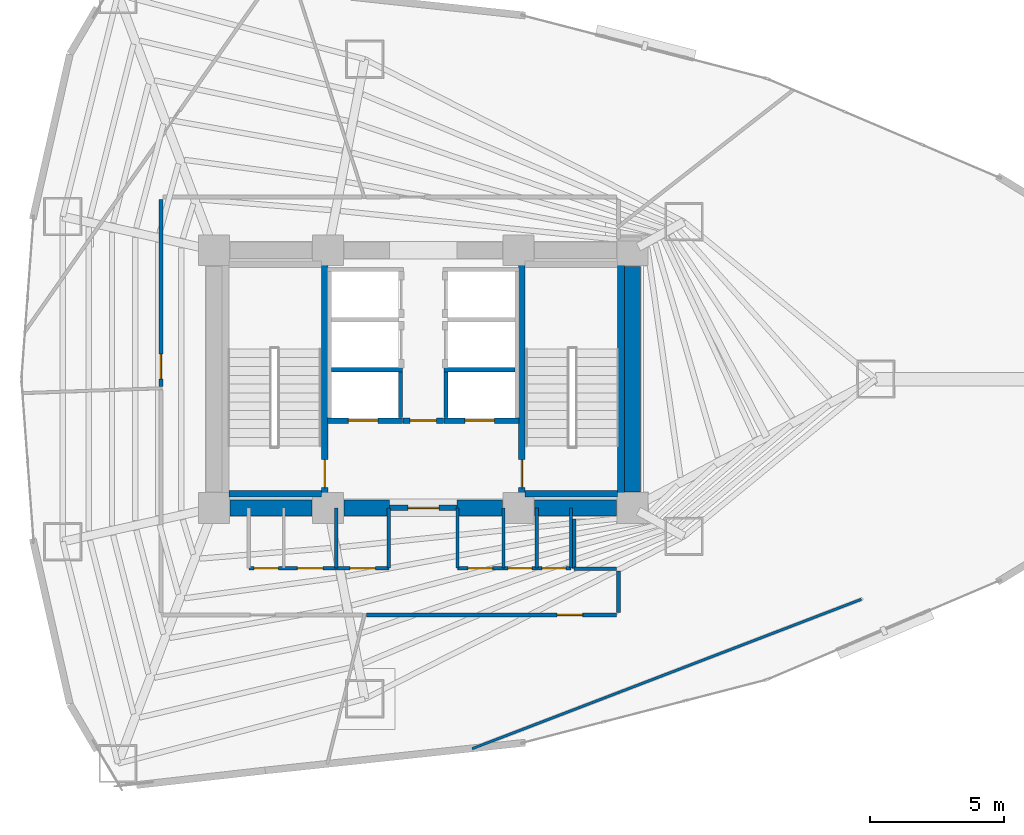
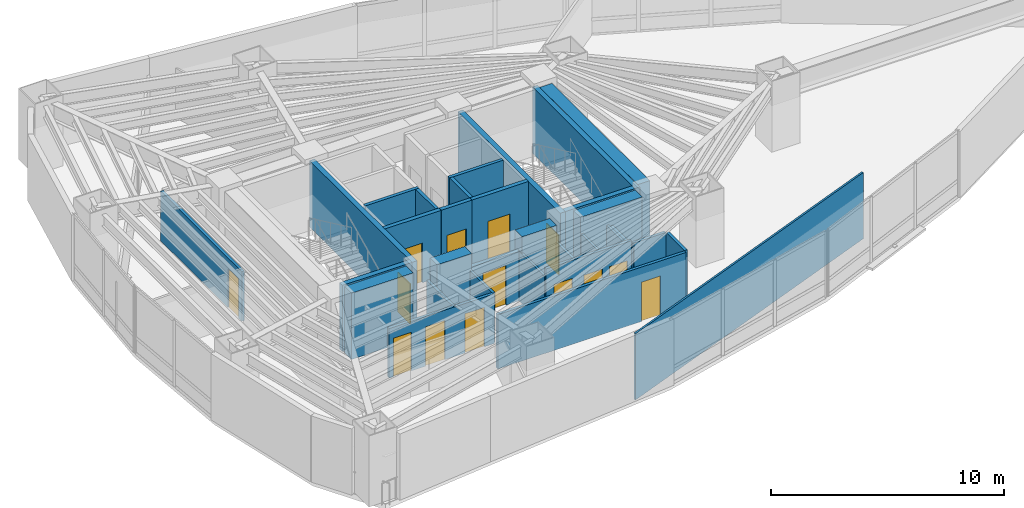
# One storey, part 15 of 20: 32 walls, 14 doors, 14 openings.
"""IFC4 building model written with IfcOpenShell, lengths in metres."""

from ifc_helpers import new_model, si_unit, direction, frame, frame_2d, origin, place, context, subcontext, project, spatial, rectangle, extrude, material, layer, layer_set, type_object, element, fill, save


model = new_model("IFC4")

# Units and contexts
model_context = context("Model", 3, precision=1e-05, world=origin(), true_north=direction((0.0, 1.0)))
body_context = subcontext(model_context, "Body", "Model", "MODEL_VIEW")
ifc_project = project(units=[si_unit("LENGTHUNIT", "METRE"), si_unit("AREAUNIT", "SQUARE_METRE"), si_unit("VOLUMEUNIT", "CUBIC_METRE"), si_unit("PLANEANGLEUNIT", "RADIAN"), si_unit("MASSUNIT", "GRAM", prefix="KILO")], contexts=[model_context])

# Site, building, storey
site_placement = place(None, origin())
site = spatial("IfcSite", under=ifc_project, at=site_placement, CompositionType="ELEMENT")
building_placement = place(site_placement, origin())
building = spatial("IfcBuilding", under=site, at=building_placement, Name="Menara Vayukalpa", CompositionType="ELEMENT")
storey_placement = place(building_placement, frame((0.0, 0.0, 57.360107421875)))
storey = spatial("IfcBuildingStorey", under=building, at=storey_placement, Name="L13", CompositionType="ELEMENT", Elevation=57.360107421875)

# Walls
ifc_material_1 = material(Name="Concrete C70/85", Category="concrete")
ifc_layer_1 = layer(ifc_material_1, 0.60009765625)
ifc_layer_set_1 = layer_set([ifc_layer_1], Name="Concrete C70/85")
wall_type_1 = type_object("IfcWallType", Name="WAL-CW600", PredefinedType="SHEAR", material=ifc_layer_set_1)
wall_1_placement = place(storey_placement, frame((18.39501953125, 17.199951171875, 0.0), z_axis=(0.0, 0.0, 1.0), x_axis=(1.0, 0.0, 0.0)))
element("IfcWall", 1, at=wall_1_placement, inside=storey, type_object=wall_type_1, Name="L13 Buttressed Core Shear Wall CWS1", PredefinedType="SHEAR", context=body_context, shape_type="SweptSolid", body=[
    extrude(rectangle(XDim=3.06005859375, YDim=0.60009765625, at=frame_2d((1.530029296875, 0.0))), origin(), (0.0, 0.0, 1.0), 3.469970703125),
])
wall_2_placement = place(storey_placement, frame((22.64501953125, 17.199951171875, 0.0), z_axis=(0.0, 0.0, 1.0), x_axis=(1.0, 0.0, 0.0)))
element("IfcWall", 2, at=wall_2_placement, inside=storey, type_object=wall_type_1, Name="L13 Buttressed Core Shear Wall CWS2", PredefinedType="SHEAR", context=body_context, shape_type="SweptSolid", body=[
    extrude(rectangle(XDim=1.705078125, YDim=0.60009765625, at=frame_2d((0.8525390625, 0.0))), origin(), (0.0, 0.0, 1.0), 3.469970703125),
])
wall_3_placement = place(storey_placement, frame((26.85009765625, 17.199951171875, 0.0), z_axis=(0.0, 0.0, 1.0), x_axis=(1.0, 0.0, 0.0)))
element("IfcWall", 3, at=wall_3_placement, inside=storey, type_object=wall_type_1, Name="L13 Buttressed Core Shear Wall CWS3", PredefinedType="SHEAR", context=body_context, shape_type="SweptSolid", body=[
    extrude(rectangle(XDim=1.704833984375, YDim=0.60009765625, at=frame_2d((0.8525390625, 0.0))), origin(), (0.0, 0.0, 1.0), 3.469970703125),
])
wall_4_placement = place(storey_placement, frame((29.7451171875, 17.199951171875, 0.0), z_axis=(0.0, 0.0, 1.0), x_axis=(1.0, 0.0, 0.0)))
element("IfcWall", 4, at=wall_4_placement, inside=storey, type_object=wall_type_1, Name="L13 Buttressed Core Shear Wall CWS4", PredefinedType="SHEAR", context=body_context, shape_type="SweptSolid", body=[
    extrude(rectangle(XDim=3.059814453125, YDim=0.60009765625, at=frame_2d((1.52978515625, 0.0))), origin(), (0.0, 0.0, 1.0), 3.469970703125),
])
wall_5_placement = place(storey_placement, frame((33.39990234375, 17.794921875, 0.0), z_axis=(0.0, 0.0, 1.0), x_axis=(0.0, 1.0, 0.0)))
element("IfcWall", 5, at=wall_5_placement, inside=storey, type_object=wall_type_1, Name="L13 Buttressed Core Shear Wall CWE1", PredefinedType="SHEAR", context=body_context, shape_type="SweptSolid", body=[
    extrude(rectangle(XDim=8.41015625, YDim=0.60009765625, at=frame_2d((4.205078125, 0.0))), origin(), (0.0, 0.0, 1.0), 3.469970703125),
])
ifc_material_2 = material(Name="Lightweight Concrete Blockwork C16/20", Category="masonry")
ifc_layer_2 = layer(ifc_material_2, 0.159912109375)
ifc_layer_set_2 = layer_set([ifc_layer_2], Name="Lightweight Concrete Blockwork C16/20")
wall_type_2 = type_object("IfcWallType", Name="WAL-FR150", PredefinedType="PARTITIONING", material=ifc_layer_set_2)
wall_6_placement = place(storey_placement, frame((24.7548828125, 20.56005859375, 0.0), z_axis=(0.0, 0.0, 1.0), x_axis=(0.0, 1.0, 0.0)))
element("IfcWall", 6, at=wall_6_placement, inside=storey, type_object=wall_type_2, Name="L13 Interior Partition IW-L13-SHW-W1E", PredefinedType="PARTITIONING", context=body_context, shape_type="SweptSolid", body=[
    extrude(rectangle(XDim=1.7099609375, YDim=0.159912109375, at=frame_2d((0.85498046875, 0.0))), origin(), (0.0, 0.0, 1.0), 3.469970703125),
])
wall_7_placement = place(storey_placement, frame((22.179931640625, 22.344970703125, 0.0), z_axis=(0.0, 0.0, 1.0), x_axis=(1.0, 0.0, 0.0)))
element("IfcWall", 7, at=wall_7_placement, inside=storey, type_object=wall_type_2, Name="L13 Interior Partition IW-L13-SHM-W12", PredefinedType="PARTITIONING", context=body_context, shape_type="SweptSolid", body=[
    extrude(rectangle(XDim=2.650146484375, YDim=0.159912109375, at=frame_2d((1.3251953125, 0.0))), origin(), (0.0, 0.0, 1.0), 3.469970703125),
])
wall_8_placement = place(storey_placement, frame((26.445068359375, 20.56005859375, 0.0), z_axis=(0.0, 0.0, 1.0), x_axis=(0.0, 1.0, 0.0)))
element("IfcWall", 8, at=wall_8_placement, inside=storey, type_object=wall_type_2, Name="L13 Interior Partition IW-L13-SHW-E1W", PredefinedType="PARTITIONING", context=body_context, shape_type="SweptSolid", body=[
    extrude(rectangle(XDim=1.7099609375, YDim=0.159912109375, at=frame_2d((0.85498046875, 0.0))), origin(), (0.0, 0.0, 1.0), 3.469970703125),
])
wall_9_placement = place(storey_placement, frame((26.3701171875, 22.344970703125, 0.0), z_axis=(0.0, 0.0, 1.0), x_axis=(1.0, 0.0, 0.0)))
element("IfcWall", 9, at=wall_9_placement, inside=storey, type_object=wall_type_2, Name="L13 Interior Partition IW-L13-SHM-E13", PredefinedType="PARTITIONING", context=body_context, shape_type="SweptSolid", body=[
    extrude(rectangle(XDim=2.64990234375, YDim=0.159912109375, at=frame_2d((1.324951171875, 0.0))), origin(), (0.0, 0.0, 1.0), 3.469970703125),
])

# Wall, opening, door
ifc_material_3 = material(Name="Lightweight Concrete Blockwork C16/20", Category="masonry")
ifc_layer_3 = layer(ifc_material_3, 0.199951171875)
ifc_layer_set_3 = layer_set([ifc_layer_3], Name="Lightweight Concrete Blockwork C16/20")
wall_type_3 = type_object("IfcWallType", Name="WAL-FR200", PredefinedType="PARTITIONING", material=ifc_layer_set_3)
wall_10_placement = place(storey_placement, frame((24.35009765625, 17.199951171875, 0.0), z_axis=(0.0, 0.0, 1.0), x_axis=(1.0, 0.0, 0.0)))
wall_10 = element("IfcWall", 10, at=wall_10_placement, inside=storey, type_object=wall_type_3, Name="L13 Interior Partition IW-L13-FFLS", PredefinedType="PARTITIONING", context=body_context, shape_type="SweptSolid", body=[
    extrude(rectangle(XDim=2.5, YDim=0.199951171875, at=frame_2d((1.25, 0.0))), origin(), (0.0, 0.0, 1.0), 2.599853515625),
])
opening_1_placement = place(wall_10_placement, frame((0.679931640625, 0.0, 0.0)))
opening_1 = element("IfcOpeningElement", 11, at=opening_1_placement, cuts=wall_10, Name="Opening ID2", PredefinedType="OPENING", context=body_context, shape_type="SweptSolid", body=[
    extrude(rectangle(XDim=1.14990234375, YDim=2.080078125, at=frame_2d((0.574951171875, 1.0400390625))), frame((0.0, 0.10986328125, 0.0), z_axis=(0.0, -1.0, 0.0), x_axis=(1.0, 0.0, 0.0)), (0.0, 0.0, 1.0), 0.219970703125),
])
ifc_material_4 = material(Name="Fire-Rated Powder-Coated Steel Door", Category="steel")
door_type_1 = type_object("IfcDoorType", Name="DR-FD60W", OperationType="NOTDEFINED", PredefinedType="DOOR", material=ifc_material_4)
door_1_placement = place(opening_1_placement, origin())
door_1 = element("IfcDoor", 12, at=door_1_placement, inside=storey, type_object=door_type_1, Name="L13 Interior Door DR-L13-FFLS", OperationType="SINGLE_SWING_LEFT", OverallHeight=2.080078125, OverallWidth=1.14990234375, PredefinedType="DOOR", context=body_context, shape_type="SweptSolid", body=[
    extrude(rectangle(XDim=1.14990234375, YDim=2.080078125, at=frame_2d((0.574951171875, 1.0400390625))), frame((0.0, 0.02490234375, 0.0), z_axis=(0.0, -1.0, 0.0), x_axis=(1.0, 0.0, 0.0)), (0.0, 0.0, 1.0), 0.050048828125),
])
fill(opening_1, door_1)

wall_11_placement = place(storey_placement, frame((24.840087890625, 20.449951171875, 0.0), z_axis=(0.0, 0.0, 1.0), x_axis=(1.0, 0.0, 0.0)))
wall_11 = element("IfcWall", 13, at=wall_11_placement, inside=storey, type_object=wall_type_3, Name="L13 Interior Partition IW-L13-FFLN", PredefinedType="PARTITIONING", context=body_context, shape_type="SweptSolid", body=[
    extrude(rectangle(XDim=1.52001953125, YDim=0.199951171875, at=frame_2d((0.760009765625, 0.0))), origin(), (0.0, 0.0, 1.0), 3.469970703125),
])
opening_2_placement = place(wall_11_placement, frame((0.27001953125, 0.0, 0.0)))
opening_2 = element("IfcOpeningElement", 14, at=opening_2_placement, cuts=wall_11, Name="Opening ID3", PredefinedType="OPENING", context=body_context, shape_type="SweptSolid", body=[
    extrude(rectangle(XDim=0.97998046875, YDim=2.06005859375, at=frame_2d((0.489990234375, 1.030029296875))), frame((0.0, 0.10986328125, 0.0), z_axis=(0.0, -1.0, 0.0), x_axis=(1.0, 0.0, 0.0)), (0.0, 0.0, 1.0), 0.219970703125),
])
ifc_material_5 = material(Name="Fire-Rated Powder-Coated Steel Door", Category="steel")
door_type_2 = type_object("IfcDoorType", Name="DR-FD60", OperationType="NOTDEFINED", PredefinedType="DOOR", material=ifc_material_5)
door_2_placement = place(opening_2_placement, origin())
door_2 = element("IfcDoor", 15, at=door_2_placement, inside=storey, type_object=door_type_2, Name="L13 Interior Door DR-L13-FFLN", OperationType="SINGLE_SWING_RIGHT", OverallHeight=2.06005859375, OverallWidth=0.97998046875, PredefinedType="DOOR", context=body_context, shape_type="SweptSolid", body=[
    extrude(rectangle(XDim=0.97998046875, YDim=2.06005859375, at=frame_2d((0.489990234375, 1.030029296875))), frame((0.0, 0.02490234375, 0.0), z_axis=(0.0, -1.0, 0.0), x_axis=(1.0, 0.0, 0.0)), (0.0, 0.0, 1.0), 0.050048828125),
])
fill(opening_2, door_2)

wall_12_placement = place(storey_placement, frame((22.030029296875, 20.449951171875, 0.0), z_axis=(0.0, 0.0, 1.0), x_axis=(1.0, 0.0, 0.0)))
wall_12 = element("IfcWall", 16, at=wall_12_placement, inside=storey, type_object=wall_type_3, Name="L13 Interior Partition IW-L13-SH-W1", PredefinedType="PARTITIONING", context=body_context, shape_type="SweptSolid", body=[
    extrude(rectangle(XDim=2.800048828125, YDim=0.199951171875, at=frame_2d((1.39990234375, 0.0))), origin(), (0.0, 0.0, 1.0), 3.469970703125),
])
opening_3_placement = place(wall_12_placement, frame((0.780029296875, 0.0, 0.0)))
opening_3 = element("IfcOpeningElement", 17, at=opening_3_placement, cuts=wall_12, Name="Opening LD1", PredefinedType="OPENING", context=body_context, shape_type="SweptSolid", body=[
    extrude(rectangle(XDim=1.10009765625, YDim=2.080078125, at=frame_2d((0.550048828125, 1.0400390625))), frame((0.0, 0.10986328125, 0.0), z_axis=(0.0, -1.0, 0.0), x_axis=(1.0, 0.0, 0.0)), (0.0, 0.0, 1.0), 0.219970703125),
])
ifc_material_6 = material(Name="Brushed Stainless Steel 316 Lift Door", Category="steel")
door_type_3 = type_object("IfcDoorType", Name="DR-LD110", OperationType="NOTDEFINED", PredefinedType="DOOR", material=ifc_material_6)
door_3_placement = place(opening_3_placement, origin())
door_3 = element("IfcDoor", 18, at=door_3_placement, inside=storey, type_object=door_type_3, Name="L13 Interior Door DR-L13-LD-W1", OperationType="DOUBLE_DOOR_SLIDING", OverallHeight=2.080078125, OverallWidth=1.10009765625, PredefinedType="DOOR", context=body_context, shape_type="SweptSolid", body=[
    extrude(rectangle(XDim=1.10009765625, YDim=2.080078125, at=frame_2d((0.550048828125, 1.0400390625))), frame((0.0, 0.02490234375, 0.0), z_axis=(0.0, -1.0, 0.0), x_axis=(1.0, 0.0, 0.0)), (0.0, 0.0, 1.0), 0.050048828125),
])
fill(opening_3, door_3)

wall_13_placement = place(storey_placement, frame((26.3701171875, 20.449951171875, 0.0), z_axis=(0.0, 0.0, 1.0), x_axis=(1.0, 0.0, 0.0)))
wall_13 = element("IfcWall", 19, at=wall_13_placement, inside=storey, type_object=wall_type_3, Name="L13 Interior Partition IW-L13-SH-E1", PredefinedType="PARTITIONING", context=body_context, shape_type="SweptSolid", body=[
    extrude(rectangle(XDim=2.7998046875, YDim=0.199951171875, at=frame_2d((1.39990234375, 0.0))), origin(), (0.0, 0.0, 1.0), 3.469970703125),
])
opening_4_placement = place(wall_13_placement, frame((0.780029296875, 0.0, 0.0)))
opening_4 = element("IfcOpeningElement", 20, at=opening_4_placement, cuts=wall_13, Name="Opening LD1", PredefinedType="OPENING", context=body_context, shape_type="SweptSolid", body=[
    extrude(rectangle(XDim=1.10009765625, YDim=2.080078125, at=frame_2d((0.550048828125, 1.0400390625))), frame((0.0, 0.10986328125, 0.0), z_axis=(0.0, -1.0, 0.0), x_axis=(1.0, 0.0, 0.0)), (0.0, 0.0, 1.0), 0.219970703125),
])
door_4_placement = place(opening_4_placement, origin())
door_4 = element("IfcDoor", 21, at=door_4_placement, inside=storey, type_object=door_type_3, Name="L13 Interior Door DR-L13-LD-E1", OperationType="DOUBLE_DOOR_SLIDING", OverallHeight=2.080078125, OverallWidth=1.10009765625, PredefinedType="DOOR", context=body_context, shape_type="SweptSolid", body=[
    extrude(rectangle(XDim=1.10009765625, YDim=2.080078125, at=frame_2d((0.550048828125, 1.0400390625))), frame((0.0, 0.02490234375, 0.0), z_axis=(0.0, -1.0, 0.0), x_axis=(1.0, 0.0, 0.0)), (0.0, 0.0, 1.0), 0.050048828125),
])
fill(opening_4, door_4)

# Walls
ifc_material_7 = material(Name="Glazed Demountable Office Partition", Category="glass")
ifc_layer_4 = layer(ifc_material_7, 0.094970703125)
ifc_layer_set_4 = layer_set([ifc_layer_4], Name="Glazed Demountable Office Partition")
wall_type_4 = type_object("IfcWallType", Name="WAL-PT100", PredefinedType="PARTITIONING", material=ifc_layer_set_4)
wall_14_placement = place(storey_placement, frame((27.423583984375, 8.222412109375, 0.0), z_axis=(0.0, 0.0, 1.0), x_axis=(0.933580686024, 0.358367273454, 0.0)))
element("IfcWall", 22, at=wall_14_placement, inside=storey, type_object=wall_type_4, Name="L13 Interior Partition IW-L13-RDIV06", PredefinedType="PARTITIONING", context=body_context, shape_type="SweptSolid", body=[
    extrude(rectangle(XDim=15.5380859375, YDim=0.094970703125, at=frame_2d((7.76904296875, 0.0))), origin(), (0.0, 0.0, 1.0), 3.469970703125),
])
ifc_material_8 = material(Name="Acoustic Mineral Stud Partition", Category="masonry")
ifc_layer_5 = layer(ifc_material_8, 0.110107421875)
ifc_layer_set_5 = layer_set([ifc_layer_5], Name="Acoustic Mineral Stud Partition")
wall_type_5 = type_object("IfcWallType", Name="WAL-PT110", PredefinedType="PARTITIONING", material=ifc_layer_set_5)
for number, where, z_axis, x_axis, name in (
    (23, (26.8798828125, 14.949951171875, 0.0), (0.0, 0.0, 1.0), (0.0, 1.0, 0.0), "L13 Interior Partition IW-L13-SVCD-05"),
    (24, (31.10009765625, 14.949951171875, 0.0), (0.0, 0.0, 1.0), (0.0, 1.0, 0.0), "L13 Interior Partition IW-L13-SVCD-08"),
):
    element("IfcWall", number, at=place(storey_placement, frame(where, z_axis=z_axis, x_axis=x_axis)), inside=storey, type_object=wall_type_5, Name=name, PredefinedType="PARTITIONING", context=body_context, shape_type="SweptSolid", body=[
        extrude(rectangle(XDim=2.25, YDim=0.110107421875, at=frame_2d((1.125, 0.0))), origin(), (0.0, 0.0, 1.0), 2.599853515625),
    ])
ifc_material_9 = material(Name="Gypsum Drywall Steel Stud Assembly", Category="steel")
ifc_layer_6 = layer(ifc_material_9, 0.125)
ifc_layer_set_6 = layer_set([ifc_layer_6], Name="Gypsum Drywall Steel Stud Assembly")
wall_type_6 = type_object("IfcWallType", Name="WAL-PT125", PredefinedType="PARTITIONING", material=ifc_layer_set_6)
for number, where, z_axis, x_axis, name in (
    (25, (22.360107421875, 14.949951171875, 0.0), (0.0, 0.0, 1.0), (0.0, 1.0, 0.0), "L13 Interior Partition IW-L13-SVCD-03"),
    (26, (24.320068359375, 14.949951171875, 0.0), (0.0, 0.0, 1.0), (0.0, 1.0, 0.0), "L13 Interior Partition IW-L13-SVCD-04"),
    (27, (28.590087890625, 14.949951171875, 0.0), (0.0, 0.0, 1.0), (0.0, 1.0, 0.0), "L13 Interior Partition IW-L13-SVCD-06"),
    (28, (29.830078125, 14.949951171875, 0.0), (0.0, 0.0, 1.0), (0.0, 1.0, 0.0), "L13 Interior Partition IW-L13-SVCD-07"),
):
    element("IfcWall", number, at=place(storey_placement, frame(where, z_axis=z_axis, x_axis=x_axis)), inside=storey, type_object=wall_type_6, Name=name, PredefinedType="PARTITIONING", context=body_context, shape_type="SweptSolid", body=[
        extrude(rectangle(XDim=2.25, YDim=0.125, at=frame_2d((1.125, 0.0))), origin(), (0.0, 0.0, 1.0), 2.599853515625),
    ])

# Wall, openings, doors
ifc_material_10 = material(Name="Gypsum Drywall Acoustic Stud Assembly", Category="masonry")
ifc_layer_7 = layer(ifc_material_10, 0.14501953125)
ifc_layer_set_7 = layer_set([ifc_layer_7], Name="Gypsum Drywall Acoustic Stud Assembly")
wall_type_7 = type_object("IfcWallType", Name="WAL-PT150", PredefinedType="PARTITIONING", material=ifc_layer_set_7)
wall_15_placement = place(storey_placement, frame((19.10009765625, 14.949951171875, 0.0), z_axis=(0.0, 0.0, 1.0), x_axis=(1.0, 0.0, 0.0)))
wall_15 = element("IfcWall", 29, at=wall_15_placement, inside=storey, type_object=wall_type_7, Name="L13 Interior Partition IW-L13-SVCS-W", PredefinedType="PARTITIONING", context=body_context, shape_type="SweptSolid", body=[
    extrude(rectangle(XDim=5.219970703125, YDim=0.14501953125, at=frame_2d((2.60986328125, 0.0))), origin(), (0.0, 0.0, 1.0), 2.599853515625),
])
opening_5_placement = place(wall_15_placement, frame((0.199951171875, 0.0, 0.0)))
opening_5 = element("IfcOpeningElement", 30, at=opening_5_placement, cuts=wall_15, Name="Opening ID7", PredefinedType="OPENING", context=body_context, shape_type="SweptSolid", body=[
    extrude(rectangle(XDim=0.89990234375, YDim=2.02001953125, at=frame_2d((0.449951171875, 1.010009765625))), frame((0.0, 0.08251953125, 0.0), z_axis=(0.0, -1.0, 0.0), x_axis=(1.0, 0.0, 0.0)), (0.0, 0.0, 1.0), 0.1650390625),
])
opening_6_placement = place(wall_15_placement, frame((1.804931640625, 0.0, 0.0)))
opening_6 = element("IfcOpeningElement", 31, at=opening_6_placement, cuts=wall_15, Name="Opening ID5", PredefinedType="OPENING", context=body_context, shape_type="SweptSolid", body=[
    extrude(rectangle(XDim=0.949951171875, YDim=2.06005859375, at=frame_2d((0.47509765625, 1.030029296875))), frame((0.0, 0.08251953125, 0.0), z_axis=(0.0, -1.0, 0.0), x_axis=(1.0, 0.0, 0.0)), (0.0, 0.0, 1.0), 0.1650390625),
])
opening_7_placement = place(wall_15_placement, frame((3.764892578125, 0.0, 0.0)))
opening_7 = element("IfcOpeningElement", 32, at=opening_7_placement, cuts=wall_15, Name="Opening ID5", PredefinedType="OPENING", context=body_context, shape_type="SweptSolid", body=[
    extrude(rectangle(XDim=0.949951171875, YDim=2.06005859375, at=frame_2d((0.47509765625, 1.030029296875))), frame((0.0, 0.08251953125, 0.0), z_axis=(0.0, -1.0, 0.0), x_axis=(1.0, 0.0, 0.0)), (0.0, 0.0, 1.0), 0.1650390625),
])
ifc_material_11 = material(Name="Acoustic Hardwood Veneer Timber Door", Category="wood")
door_type_4 = type_object("IfcDoorType", Name="DR-INT95", OperationType="NOTDEFINED", PredefinedType="DOOR", material=ifc_material_11)
door_5_placement = place(opening_6_placement, origin())
door_5 = element("IfcDoor", 33, at=door_5_placement, inside=storey, type_object=door_type_4, Name="L13 Interior Door DR-L13-AWC", OperationType="SINGLE_SWING_RIGHT", OverallHeight=2.06005859375, OverallWidth=0.949951171875, PredefinedType="DOOR", context=body_context, shape_type="SweptSolid", body=[
    extrude(rectangle(XDim=0.949951171875, YDim=2.06005859375, at=frame_2d((0.47509765625, 1.030029296875))), frame((0.0, 0.02490234375, 0.0), z_axis=(0.0, -1.0, 0.0), x_axis=(1.0, 0.0, 0.0)), (0.0, 0.0, 1.0), 0.050048828125),
])
fill(opening_6, door_5)
door_6_placement = place(opening_7_placement, origin())
door_6 = element("IfcDoor", 34, at=door_6_placement, inside=storey, type_object=door_type_4, Name="L13 Interior Door DR-L13-SWC", OperationType="SINGLE_SWING_LEFT", OverallHeight=2.06005859375, OverallWidth=0.949951171875, PredefinedType="DOOR", context=body_context, shape_type="SweptSolid", body=[
    extrude(rectangle(XDim=0.949951171875, YDim=2.06005859375, at=frame_2d((0.47509765625, 1.030029296875))), frame((0.0, 0.02490234375, 0.0), z_axis=(0.0, -1.0, 0.0), x_axis=(1.0, 0.0, 0.0)), (0.0, 0.0, 1.0), 0.050048828125),
])
fill(opening_7, door_6)
ifc_material_12 = material(Name="Powder-Coated Steel Riser Access Door", Category="steel")
door_type_5 = type_object("IfcDoorType", Name="DR-RISER", OperationType="NOTDEFINED", PredefinedType="DOOR", material=ifc_material_12)
door_7_placement = place(opening_5_placement, origin())
door_7 = element("IfcDoor", 35, at=door_7_placement, inside=storey, type_object=door_type_5, Name="L13 Interior Door DR-L13-ELR", OperationType="SINGLE_SWING_LEFT", OverallHeight=2.02001953125, OverallWidth=0.89990234375, PredefinedType="DOOR", context=body_context, shape_type="SweptSolid", body=[
    extrude(rectangle(XDim=0.89990234375, YDim=2.02001953125, at=frame_2d((0.449951171875, 1.010009765625))), frame((0.0, 0.02490234375, 0.0), z_axis=(0.0, -1.0, 0.0), x_axis=(1.0, 0.0, 0.0)), (0.0, 0.0, 1.0), 0.050048828125),
])
fill(opening_5, door_7)

wall_16_placement = place(storey_placement, frame((26.8798828125, 14.949951171875, 0.0), z_axis=(0.0, 0.0, 1.0), x_axis=(1.0, 0.0, 0.0)))
wall_16 = element("IfcWall", 36, at=wall_16_placement, inside=storey, type_object=wall_type_7, Name="L13 Interior Partition IW-L13-SVCS-E", PredefinedType="PARTITIONING", context=body_context, shape_type="SweptSolid", body=[
    extrude(rectangle(XDim=4.22021484375, YDim=0.14501953125, at=frame_2d((2.110107421875, 0.0))), origin(), (0.0, 0.0, 1.0), 3.0),
])
opening_8_placement = place(wall_16_placement, frame((0.389892578125, 0.0, 0.0)))
opening_8 = element("IfcOpeningElement", 37, at=opening_8_placement, cuts=wall_16, Name="Opening ID6", PredefinedType="OPENING", context=body_context, shape_type="SweptSolid", body=[
    extrude(rectangle(XDim=0.919921875, YDim=2.050048828125, at=frame_2d((0.4599609375, 1.02490234375))), frame((0.0, 0.08251953125, 0.0), z_axis=(0.0, -1.0, 0.0), x_axis=(1.0, 0.0, 0.0)), (0.0, 0.0, 1.0), 0.1650390625),
])
opening_9_placement = place(wall_16_placement, frame((1.8798828125, 0.0, 0.0)))
opening_9 = element("IfcOpeningElement", 38, at=opening_9_placement, cuts=wall_16, Name="Opening ID7", PredefinedType="OPENING", context=body_context, shape_type="SweptSolid", body=[
    extrude(rectangle(XDim=0.89990234375, YDim=2.02001953125, at=frame_2d((0.449951171875, 1.010009765625))), frame((0.0, 0.08251953125, 0.0), z_axis=(0.0, -1.0, 0.0), x_axis=(1.0, 0.0, 0.0)), (0.0, 0.0, 1.0), 0.1650390625),
])
opening_10_placement = place(wall_16_placement, frame((3.139892578125, 0.0, 0.0)))
opening_10 = element("IfcOpeningElement", 39, at=opening_10_placement, cuts=wall_16, Name="Opening ID7", PredefinedType="OPENING", context=body_context, shape_type="SweptSolid", body=[
    extrude(rectangle(XDim=0.89990234375, YDim=2.02001953125, at=frame_2d((0.449951171875, 1.010009765625))), frame((0.0, 0.08251953125, 0.0), z_axis=(0.0, -1.0, 0.0), x_axis=(1.0, 0.0, 0.0)), (0.0, 0.0, 1.0), 0.1650390625),
])
ifc_material_13 = material(Name="Acoustic Hardwood Veneer Timber Door", Category="wood")
door_type_6 = type_object("IfcDoorType", Name="DR-INT92", OperationType="NOTDEFINED", PredefinedType="DOOR", material=ifc_material_13)
door_8_placement = place(opening_8_placement, origin())
door_8 = element("IfcDoor", 40, at=door_8_placement, inside=storey, type_object=door_type_6, Name="L13 Interior Door DR-L13-KSV1", OperationType="SINGLE_SWING_RIGHT", OverallHeight=2.050048828125, OverallWidth=0.919921875, PredefinedType="DOOR", context=body_context, shape_type="SweptSolid", body=[
    extrude(rectangle(XDim=0.919921875, YDim=2.050048828125, at=frame_2d((0.4599609375, 1.02490234375))), frame((0.0, 0.02490234375, 0.0), z_axis=(0.0, -1.0, 0.0), x_axis=(1.0, 0.0, 0.0)), (0.0, 0.0, 1.0), 0.050048828125),
])
fill(opening_8, door_8)
door_9_placement = place(opening_9_placement, origin())
door_9 = element("IfcDoor", 41, at=door_9_placement, inside=storey, type_object=door_type_5, Name="L13 Interior Door DR-L13-KSV2", OperationType="SINGLE_SWING_LEFT", OverallHeight=2.02001953125, OverallWidth=0.89990234375, PredefinedType="DOOR", context=body_context, shape_type="SweptSolid", body=[
    extrude(rectangle(XDim=0.89990234375, YDim=2.02001953125, at=frame_2d((0.449951171875, 1.010009765625))), frame((0.0, 0.02490234375, 0.0), z_axis=(0.0, -1.0, 0.0), x_axis=(1.0, 0.0, 0.0)), (0.0, 0.0, 1.0), 0.050048828125),
])
fill(opening_9, door_9)
door_10_placement = place(opening_10_placement, origin())
door_10 = element("IfcDoor", 42, at=door_10_placement, inside=storey, type_object=door_type_5, Name="L13 Interior Door DR-L13-SMD", OperationType="SINGLE_SWING_RIGHT", OverallHeight=2.02001953125, OverallWidth=0.89990234375, PredefinedType="DOOR", context=body_context, shape_type="SweptSolid", body=[
    extrude(rectangle(XDim=0.89990234375, YDim=2.02001953125, at=frame_2d((0.449951171875, 1.010009765625))), frame((0.0, 0.02490234375, 0.0), z_axis=(0.0, -1.0, 0.0), x_axis=(1.0, 0.0, 0.0)), (0.0, 0.0, 1.0), 0.050048828125),
])
fill(opening_10, door_10)

# Wall, opening, door
wall_17_placement = place(storey_placement, frame((23.48046875, 13.2099609375, 0.0), z_axis=(0.0, 0.0, 1.0), x_axis=(1.0, 0.0, 0.0)))
wall_17 = element("IfcWall", 43, at=wall_17_placement, inside=storey, type_object=wall_type_7, Name="L13 Interior Partition IW-L13-CRM03-1", PredefinedType="PARTITIONING", context=body_context, shape_type="SweptSolid", body=[
    extrude(rectangle(XDim=9.319580078125, YDim=0.14501953125, at=frame_2d((4.65966796875, 0.0))), origin(), (0.0, 0.0, 1.0), 2.849853515625),
])
opening_11_placement = place(wall_17_placement, frame((7.11328125, 0.0, 0.0)))
opening_11 = element("IfcOpeningElement", 44, at=opening_11_placement, cuts=wall_17, Name="Opening ID5", PredefinedType="OPENING", context=body_context, shape_type="SweptSolid", body=[
    extrude(rectangle(XDim=0.949951171875, YDim=2.06005859375, at=frame_2d((0.47509765625, 1.030029296875))), frame((0.0, 0.08251953125, 0.0), z_axis=(0.0, -1.0, 0.0), x_axis=(1.0, 0.0, 0.0)), (0.0, 0.0, 1.0), 0.1650390625),
])
door_11_placement = place(opening_11_placement, origin())
door_11 = element("IfcDoor", 45, at=door_11_placement, inside=storey, type_object=door_type_4, Name="L13 Interior Door DR-L13-RM03", OperationType="SINGLE_SWING_RIGHT", OverallHeight=2.06005859375, OverallWidth=0.949951171875, PredefinedType="DOOR", context=body_context, shape_type="SweptSolid", body=[
    extrude(rectangle(XDim=0.949951171875, YDim=2.06005859375, at=frame_2d((0.47509765625, 1.030029296875))), frame((0.0, 0.02490234375, 0.0), z_axis=(0.0, -1.0, 0.0), x_axis=(1.0, 0.0, 0.0)), (0.0, 0.0, 1.0), 0.050048828125),
])
fill(opening_11, door_11)

# Walls
wall_18_placement = place(storey_placement, frame((32.8798828125, 13.2900390625, 0.0), z_axis=(0.0, 0.0, 1.0), x_axis=(0.0, 1.0, 0.0)))
element("IfcWall", 46, at=wall_18_placement, inside=storey, type_object=wall_type_7, Name="L13 Interior Partition IW-L13-CRM03-2", PredefinedType="PARTITIONING", context=body_context, shape_type="SweptSolid", body=[
    extrude(rectangle(XDim=1.56005859375, YDim=0.14501953125, at=frame_2d((0.780029296875, 0.0))), origin(), (0.0, 0.0, 1.0), 2.849853515625),
])
wall_19_placement = place(storey_placement, frame((32.800048828125, 14.929931640625, 0.0), z_axis=(0.0, 0.0, 1.0), x_axis=(-1.0, 0.0, 0.0)))
element("IfcWall", 47, at=wall_19_placement, inside=storey, type_object=wall_type_7, Name="L13 Interior Partition IW-L13-CRM03-3", PredefinedType="PARTITIONING", context=body_context, shape_type="SweptSolid", body=[
    extrude(rectangle(XDim=1.580078125, YDim=0.14501953125, at=frame_2d((0.7900390625, 0.0))), origin(), (0.0, 0.0, 1.0), 2.849853515625),
])
wall_20_placement = place(storey_placement, frame((31.219970703125, 14.929931640625, 0.0), z_axis=(0.0, 0.0, 1.0), x_axis=(0.0, 1.0, 0.0)))
element("IfcWall", 48, at=wall_20_placement, inside=storey, type_object=wall_type_7, Name="L13 Interior Partition IW-L13-CRM03-4", PredefinedType="PARTITIONING", context=body_context, shape_type="SweptSolid", body=[
    extrude(rectangle(XDim=1.85009765625, YDim=0.14501953125, at=frame_2d((0.925048828125, 0.0))), origin(), (0.0, 0.0, 1.0), 2.599853515625),
])

# Wall, opening, door
wall_21_placement = place(storey_placement, frame((15.820068359375, 28.699951171875, 0.0), z_axis=(0.0, 0.0, 1.0), x_axis=(0.0, -1.0, 0.0)))
wall_21 = element("IfcWall", 49, at=wall_21_placement, inside=storey, type_object=wall_type_7, Name="L13 Interior Partition IW-L13-CRM06-2", PredefinedType="PARTITIONING", context=body_context, shape_type="SweptSolid", body=[
    extrude(rectangle(XDim=6.971435546875, YDim=0.14501953125, at=frame_2d((3.48583984375, 0.0))), origin(), (0.0, 0.0, 1.0), 2.599853515625),
])
opening_12_placement = place(wall_21_placement, frame((5.771484375, 0.0, 0.0)))
opening_12 = element("IfcOpeningElement", 50, at=opening_12_placement, cuts=wall_21, Name="Opening ID6", PredefinedType="OPENING", context=body_context, shape_type="SweptSolid", body=[
    extrude(rectangle(XDim=0.919921875, YDim=2.050048828125, at=frame_2d((0.4599609375, 1.02490234375))), frame((0.0, 0.08251953125, 0.0), z_axis=(0.0, -1.0, 0.0), x_axis=(1.0, 0.0, 0.0)), (0.0, 0.0, 1.0), 0.1650390625),
])
door_12_placement = place(opening_12_placement, origin())
door_12 = element("IfcDoor", 51, at=door_12_placement, inside=storey, type_object=door_type_6, Name="L13 Interior Door DR-L13-RM06", OperationType="SINGLE_SWING_RIGHT", OverallHeight=2.050048828125, OverallWidth=0.919921875, PredefinedType="DOOR", context=body_context, shape_type="SweptSolid", body=[
    extrude(rectangle(XDim=0.919921875, YDim=2.050048828125, at=frame_2d((0.4599609375, 1.02490234375))), frame((0.0, 0.02490234375, 0.0), z_axis=(0.0, -1.0, 0.0), x_axis=(1.0, 0.0, 0.0)), (0.0, 0.0, 1.0), 0.050048828125),
])
fill(opening_12, door_12)

ifc_material_14 = material(Name="Concrete C50/60", Category="concrete")
ifc_layer_8 = layer(ifc_material_14, 0.25)
ifc_layer_set_8 = layer_set([ifc_layer_8], Name="Concrete C50/60")
wall_type_8 = type_object("IfcWallType", Name="WAL-SW250", PredefinedType="SHEAR", material=ifc_layer_set_8)
wall_22_placement = place(storey_placement, frame((21.925048828125, 17.60009765625, 0.0), z_axis=(0.0, 0.0, 1.0), x_axis=(0.0, 1.0, 0.0)))
wall_22 = element("IfcWall", 52, at=wall_22_placement, inside=storey, type_object=wall_type_8, Name="L13 ST1 Structural Stair Shaft Wall E", PredefinedType="SHEAR", context=body_context, shape_type="SweptSolid", body=[
    extrude(rectangle(XDim=8.7998046875, YDim=0.25, at=frame_2d((4.39990234375, 0.0))), origin(), (0.0, 0.0, 1.0), 3.469970703125),
])
opening_13_placement = place(wall_22_placement, frame((0.35009765625, 0.0, 0.0)))
opening_13 = element("IfcOpeningElement", 53, at=opening_13_placement, cuts=wall_22, Name="Opening ID1", PredefinedType="OPENING", context=body_context, shape_type="SweptSolid", body=[
    extrude(rectangle(XDim=1.050048828125, YDim=2.080078125, at=frame_2d((0.52490234375, 1.0400390625))), frame((0.0, 0.135009765625, 0.0), z_axis=(0.0, -1.0, 0.0), x_axis=(1.0, 0.0, 0.0)), (0.0, 0.0, 1.0), 0.27001953125),
])
ifc_material_15 = material(Name="Fire-Rated Powder-Coated Steel Door", Category="steel")
door_type_7 = type_object("IfcDoorType", Name="DR-FD120", OperationType="NOTDEFINED", PredefinedType="DOOR", material=ifc_material_15)
door_13_placement = place(opening_13_placement, origin())
door_13 = element("IfcDoor", 54, at=door_13_placement, inside=storey, type_object=door_type_7, Name="L13 Stair Exit Door DR-L13-ST1", OperationType="SINGLE_SWING_LEFT", OverallHeight=2.080078125, OverallWidth=1.050048828125, PredefinedType="DOOR", context=body_context, shape_type="SweptSolid", body=[
    extrude(rectangle(XDim=1.050048828125, YDim=2.080078125, at=frame_2d((0.52490234375, 1.0400390625))), frame((0.0, 0.02490234375, 0.0), z_axis=(0.0, -1.0, 0.0), x_axis=(1.0, 0.0, 0.0)), (0.0, 0.0, 1.0), 0.050048828125),
])
fill(opening_13, door_13)

# Wall
wall_23_placement = place(storey_placement, frame((18.35400390625, 17.72509765625, 0.0), z_axis=(0.0, 0.0, 1.0), x_axis=(1.0, 0.0, 0.0)))
element("IfcWall", 55, at=wall_23_placement, inside=storey, type_object=wall_type_8, Name="L13 ST1 Structural Stair Shaft Wall S", PredefinedType="SHEAR", context=body_context, shape_type="SweptSolid", body=[
    extrude(rectangle(XDim=3.446044921875, YDim=0.25, at=frame_2d((1.72314453125, 0.0))), origin(), (0.0, 0.0, 1.0), 3.469970703125),
])

# Wall, opening, door
wall_24_placement = place(storey_placement, frame((29.27490234375, 17.60009765625, 0.0), z_axis=(0.0, 0.0, 1.0), x_axis=(0.0, 1.0, 0.0)))
wall_24 = element("IfcWall", 56, at=wall_24_placement, inside=storey, type_object=wall_type_8, Name="L13 ST2 Structural Stair Shaft Wall W", PredefinedType="SHEAR", context=body_context, shape_type="SweptSolid", body=[
    extrude(rectangle(XDim=8.7998046875, YDim=0.25, at=frame_2d((4.39990234375, 0.0))), origin(), (0.0, 0.0, 1.0), 3.469970703125),
])
opening_14_placement = place(wall_24_placement, frame((0.35009765625, 0.0, 0.0)))
opening_14 = element("IfcOpeningElement", 57, at=opening_14_placement, cuts=wall_24, Name="Opening ID1", PredefinedType="OPENING", context=body_context, shape_type="SweptSolid", body=[
    extrude(rectangle(XDim=1.050048828125, YDim=2.080078125, at=frame_2d((0.52490234375, 1.0400390625))), frame((0.0, 0.135009765625, 0.0), z_axis=(0.0, -1.0, 0.0), x_axis=(1.0, 0.0, 0.0)), (0.0, 0.0, 1.0), 0.27001953125),
])
door_14_placement = place(opening_14_placement, origin())
door_14 = element("IfcDoor", 58, at=door_14_placement, inside=storey, type_object=door_type_7, Name="L13 Stair Exit Door DR-L13-ST2", OperationType="SINGLE_SWING_RIGHT", OverallHeight=2.080078125, OverallWidth=1.050048828125, PredefinedType="DOOR", context=body_context, shape_type="SweptSolid", body=[
    extrude(rectangle(XDim=1.050048828125, YDim=2.080078125, at=frame_2d((0.52490234375, 1.0400390625))), frame((0.0, 0.02490234375, 0.0), z_axis=(0.0, -1.0, 0.0), x_axis=(1.0, 0.0, 0.0)), (0.0, 0.0, 1.0), 0.050048828125),
])
fill(opening_14, door_14)

# Walls
wall_25_placement = place(storey_placement, frame((32.970947265625, 17.60009765625, 0.0), z_axis=(0.0, 0.0, 1.0), x_axis=(0.0, 1.0, 0.0)))
element("IfcWall", 59, at=wall_25_placement, inside=storey, type_object=wall_type_8, Name="L13 ST2 Structural Stair Shaft Wall E", PredefinedType="SHEAR", context=body_context, shape_type="SweptSolid", body=[
    extrude(rectangle(XDim=8.7998046875, YDim=0.25, at=frame_2d((4.39990234375, 0.0))), origin(), (0.0, 0.0, 1.0), 3.469970703125),
])
wall_26_placement = place(storey_placement, frame((29.39990234375, 17.72509765625, 0.0), z_axis=(0.0, 0.0, 1.0), x_axis=(1.0, 0.0, 0.0)))
element("IfcWall", 60, at=wall_26_placement, inside=storey, type_object=wall_type_8, Name="L13 ST2 Structural Stair Shaft Wall S", PredefinedType="SHEAR", context=body_context, shape_type="SweptSolid", body=[
    extrude(rectangle(XDim=3.446044921875, YDim=0.25, at=frame_2d((1.72314453125, 0.0))), origin(), (0.0, 0.0, 1.0), 3.469970703125),
])

save(model, "model.ifc")
